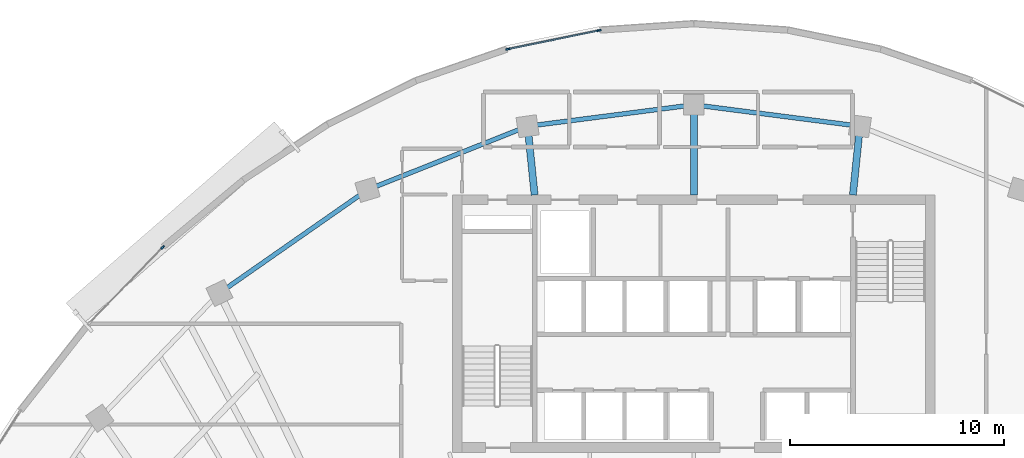
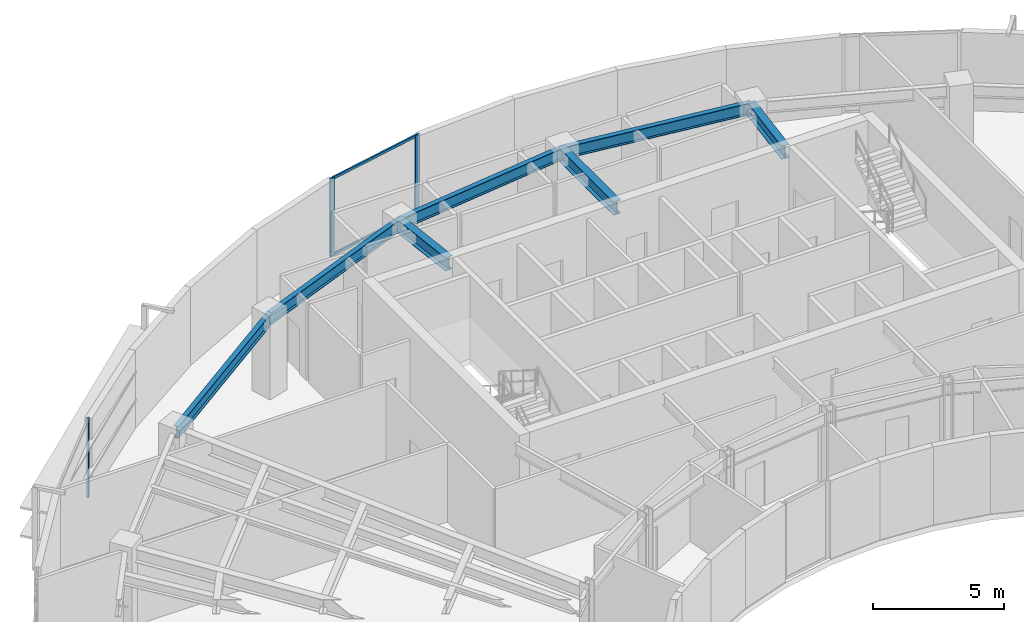
# One storey, part 5 of 13: 7 beams, 5 members, 2 elements without a shape of their own.
"""IFC4 building model written with IfcOpenShell, lengths in metres."""

from ifc_helpers import new_model, si_unit, direction, frame, origin, origin_2d, place, context, subcontext, project, spatial, rectangle, i_section, extrude, source, transform, mapped, material, layer, layer_set, material_profile, profile_set, type_object, element, aggregate, save


model = new_model("IFC4")

# Units and contexts
model_context = context("Model", 3, precision=1e-05, world=origin(), true_north=direction((0.0, 1.0)))
body_context = subcontext(model_context, "Body", "Model", "MODEL_VIEW")
ifc_project = project(units=[si_unit("LENGTHUNIT", "METRE"), si_unit("AREAUNIT", "SQUARE_METRE"), si_unit("VOLUMEUNIT", "CUBIC_METRE"), si_unit("PLANEANGLEUNIT", "RADIAN"), si_unit("MASSUNIT", "GRAM", prefix="KILO")], contexts=[model_context])

# Site, building, storey
site_placement = place(None, origin())
site = spatial("IfcSite", under=ifc_project, at=site_placement, CompositionType="ELEMENT")
building_placement = place(site_placement, origin())
building = spatial("IfcBuilding", under=site, at=building_placement, Name="Breltana Convention Tower", CompositionType="ELEMENT")
storey_placement = place(building_placement, frame((0.0, 0.0, 204.0)))
storey = spatial("IfcBuildingStorey", under=building, at=storey_placement, Name="L49", CompositionType="ELEMENT", Elevation=204.0)

# Beams
ifc_material_1 = material(Name="Steel ASTM A992 Grade 50", Category="steel")
ifc_material_profile_1 = material_profile(ifc_material_1, i_section(OverallWidth=0.326904296875, OverallDepth=0.6220703125, WebThickness=0.015380859375, FlangeThickness=0.0244140625, at=origin_2d()), Name="W24X131")
ifc_profile_set_1 = profile_set([ifc_material_profile_1], Name="Steel ASTM A992 Grade 50")
beam_type_1 = type_object("IfcBeamType", Name="BM-RG-W24X131", PredefinedType="USERDEFINED", material=ifc_profile_set_1)
shared_shape_1 = source(origin(), body_context, "Body", "SweptSolid", [
    extrude(i_section(OverallWidth=0.326904296875, OverallDepth=0.6220703125, WebThickness=0.015380859375, FlangeThickness=0.0244140625, at=origin_2d()), origin(), (0.0, 0.0, 1.0), 3.220947265625),
])
for number, where, z_axis, x_axis, name in (
    (1, (40.580078125, 72.199951171875, 3.3291015625), (-0.101492254858, 0.994836329355, 0.0), (-0.994836329355, -0.101492254858, 0.0), "L49 North Core Radial Girder R05"),
    (2, (55.419921875, 72.199951171875, 3.3291015625), (0.101492254858, 0.994836329355, 0.0), (-0.994836329355, 0.101492254858, 0.0), "L49 North Core Radial Girder R07"),
):
    element("IfcBeam", number, at=place(storey_placement, frame(where, z_axis=z_axis, x_axis=x_axis)), inside=storey, type_object=beam_type_1, Name=name, ObjectType="GIRDER", PredefinedType="USERDEFINED", context=body_context, shape_type="MappedRepresentation", body=[
        mapped(shared_shape_1, transform((0.0, 0.0, 0.0), scale=1.0)),
    ])
shared_shape_2 = source(origin(), body_context, "Body", "SweptSolid", [
    extrude(i_section(OverallWidth=0.326904296875, OverallDepth=0.6220703125, WebThickness=0.015380859375, FlangeThickness=0.0244140625, at=origin_2d()), origin(), (0.0, 0.0, 1.0), 4.2041015625),
])
beam_1_placement = place(storey_placement, frame((48.0, 72.199951171875, 3.3291015625), z_axis=(0.0, 1.0, 0.0), x_axis=(-1.0, 0.0, 0.0)))
element("IfcBeam", 3, at=beam_1_placement, inside=storey, type_object=beam_type_1, Name="L49 North Core Radial Girder R06", ObjectType="GIRDER", PredefinedType="USERDEFINED", context=body_context, shape_type="MappedRepresentation", body=[
    mapped(shared_shape_2, transform((0.0, 0.0, 0.0), scale=1.0)),
])
ifc_material_profile_2 = material_profile(ifc_material_1, i_section(OverallWidth=0.214111328125, OverallDepth=0.549072265625, WebThickness=0.0146484375, FlangeThickness=0.023681640625, at=origin_2d()), Name="W21X93")
ifc_profile_set_2 = profile_set([ifc_material_profile_2], Name="Steel ASTM A992 Grade 50")
beam_type_2 = type_object("IfcBeamType", Name="BM-SP-W21X93", PredefinedType="SPANDREL", material=ifc_profile_set_2)
shared_shape_3 = source(origin(), body_context, "Body", "SweptSolid", [
    extrude(i_section(OverallWidth=0.214111328125, OverallDepth=0.549072265625, WebThickness=0.0146484375, FlangeThickness=0.023681640625, at=origin_2d()), origin(), (0.0, 0.0, 1.0), 8.4169921875),
])
beam_2_placement = place(storey_placement, frame((25.8876953125, 67.626953125, 3.365478515625), z_axis=(0.820173800102, 0.572114444519, 0.0), x_axis=(-0.572114444519, 0.820173800102, 0.0)))
element("IfcBeam", 4, at=beam_2_placement, inside=storey, type_object=beam_type_2, Name="L49 Outer Spandrel Beam 03", PredefinedType="SPANDREL", context=body_context, shape_type="MappedRepresentation", body=[
    mapped(shared_shape_3, transform((0.0, 0.0, 0.0), scale=1.0)),
])
shared_shape_4 = source(origin(), body_context, "Body", "SweptSolid", [
    extrude(i_section(OverallWidth=0.214111328125, OverallDepth=0.549072265625, WebThickness=0.0146484375, FlangeThickness=0.023681640625, at=origin_2d()), origin(), (0.0, 0.0, 1.0), 8.028564453125),
])
beam_3_placement = place(storey_placement, frame((32.791015625, 72.4423828125, 3.365478515625), z_axis=(0.929459100394, 0.368925169507, 0.0), x_axis=(-0.368925169507, 0.929459100394, 0.0)))
element("IfcBeam", 5, at=beam_3_placement, inside=storey, type_object=beam_type_2, Name="L49 Outer Spandrel Beam 04", PredefinedType="SPANDREL", context=body_context, shape_type="MappedRepresentation", body=[
    mapped(shared_shape_4, transform((0.0, 0.0, 0.0), scale=1.0)),
])
shared_shape_5 = source(origin(), body_context, "Body", "SweptSolid", [
    extrude(i_section(OverallWidth=0.214111328125, OverallDepth=0.549072265625, WebThickness=0.0146484375, FlangeThickness=0.023681640625, at=origin_2d()), origin(), (0.0, 0.0, 1.0), 7.81103515625),
])
for number, where, z_axis, x_axis, name in (
    (6, (40.253173828125, 75.404296875, 3.365478515625), (0.991775179127, 0.127992164083, 0.0), (-0.127992164083, 0.991775179127, 0.0), "L49 Outer Spandrel Beam 05"),
    (7, (48.0, 76.404052734375, 3.365478515625), (0.991775179127, -0.127992164083, 0.0), (0.127992164083, 0.991775179127, 0.0), "L49 Outer Spandrel Beam 06"),
):
    element("IfcBeam", number, at=place(storey_placement, frame(where, z_axis=z_axis, x_axis=x_axis)), inside=storey, type_object=beam_type_2, Name=name, PredefinedType="SPANDREL", context=body_context, shape_type="MappedRepresentation", body=[
        mapped(shared_shape_5, transform((0.0, 0.0, 0.0), scale=1.0)),
    ])

# Curtain wall, member
ifc_material_2 = material(Name="Aluminium Anodised Bronze Frame", Category="aluminium")
ifc_layer = layer(ifc_material_2, 0.219970703125, Name="Aluminium Anodised Bronze Frame")
ifc_layer_set = layer_set([ifc_layer], Name="Aluminium Anodised Bronze Frame")
curtain_wall_type = type_object("IfcCurtainWallType", Name="CW-SYS-4", PredefinedType="NOTDEFINED", material=ifc_layer_set)
curtain_wall_1_placement = place(storey_placement, origin())
curtain_wall_1 = element("IfcCurtainWall", 8, at=curtain_wall_1_placement, inside=storey, type_object=curtain_wall_type, Name="L49 outer double-skin inner glazing 2", PredefinedType="NOTDEFINED")
ifc_material_3 = material(Name="Aluminium Anodised Bronze", Category="aluminium")
ifc_material_profile_3 = material_profile(ifc_material_3, rectangle(XDim=0.080078125, YDim=0.199951171875, at=origin_2d()), Name="CWM-80X200")
ifc_profile_set_3 = profile_set([ifc_material_profile_3], Name="Aluminium Anodised Bronze")
member_type_1 = type_object("IfcMemberType", Name="CWM-200", PredefinedType="MULLION", material=ifc_profile_set_3)
shared_shape_6 = source(origin(), body_context, "Body", "SweptSolid", [
    extrude(rectangle(XDim=0.080078125, YDim=0.199951171875, at=origin_2d()), origin(), (0.0, 0.0, 1.0), 3.639892578125),
])
member_1_placement = place(storey_placement, frame((23.240234375, 69.759033203125, 0.0), z_axis=(0.0, 0.0, 1.0), x_axis=(-0.719396292115, 0.694599866751, 0.0)))
member_1 = element("IfcMember", 9, at=member_1_placement, type_object=member_type_1, Name="CW-04 mullion 2", PredefinedType="MULLION", context=body_context, shape_type="MappedRepresentation", body=[
    mapped(shared_shape_6, transform((0.0, 0.0, 0.0), scale=1.0)),
])
aggregate(curtain_wall_1, [member_1])

# Curtain wall, members
curtain_wall_2_placement = place(storey_placement, origin())
curtain_wall_2 = element("IfcCurtainWall", 10, at=curtain_wall_2_placement, inside=storey, type_object=curtain_wall_type, Name="L49 outer double-skin inner glazing 3", PredefinedType="NOTDEFINED")
member_2_placement = place(storey_placement, frame((39.330078125, 78.9990234375, 0.0), z_axis=(0.0, 0.0, 1.0), x_axis=(-0.200879604523, 0.979615937236, 0.0)))
member_2 = element("IfcMember", 11, at=member_2_placement, type_object=member_type_1, Name="CW-04 mullion 1", PredefinedType="MULLION", context=body_context, shape_type="MappedRepresentation", body=[
    mapped(shared_shape_6, transform((0.0, 0.0, 0.0), scale=1.0)),
])
member_3_placement = place(storey_placement, frame((43.584228515625, 79.87158203125, 0.0), z_axis=(0.0, 0.0, 1.0), x_axis=(-0.200879604523, 0.979615937236, 0.0)))
member_3 = element("IfcMember", 12, at=member_3_placement, type_object=member_type_1, Name="CW-04 mullion 2", PredefinedType="MULLION", context=body_context, shape_type="MappedRepresentation", body=[
    mapped(shared_shape_6, transform((0.0, 0.0, 0.0), scale=1.0)),
])
ifc_material_profile_4 = material_profile(ifc_material_3, rectangle(XDim=0.070068359375, YDim=0.1201171875, at=origin_2d()), Name="CWT-70X120")
ifc_profile_set_4 = profile_set([ifc_material_profile_4], Name="Aluminium Anodised Bronze")
member_type_2 = type_object("IfcMemberType", Name="CWT-120", PredefinedType="USERDEFINED", material=ifc_profile_set_4)
shared_shape_7 = source(origin(), body_context, "Body", "SweptSolid", [
    extrude(rectangle(XDim=0.070068359375, YDim=0.1201171875, at=origin_2d()), origin(), (0.0, 0.0, 1.0), 4.262451171875),
])
member_4_placement = place(storey_placement, frame((39.369384765625, 79.007080078125, 0.034912109375), z_axis=(0.97960616963, 0.200927231659, 0.0), x_axis=(-0.200927231659, 0.97960616963, 0.0)))
member_4 = element("IfcMember", 13, at=member_4_placement, type_object=member_type_2, Name="CW-04 transom 1.1", ObjectType="TRANSOM", PredefinedType="USERDEFINED", context=body_context, shape_type="MappedRepresentation", body=[
    mapped(shared_shape_7, transform((0.0, 0.0, 0.0), scale=1.0)),
])
member_5_placement = place(storey_placement, frame((39.369384765625, 79.007080078125, 3.60498046875), z_axis=(0.97960616963, 0.200927231659, 0.0), x_axis=(-0.200927231659, 0.97960616963, 0.0)))
member_5 = element("IfcMember", 14, at=member_5_placement, type_object=member_type_2, Name="CW-04 transom 1.2", ObjectType="TRANSOM", PredefinedType="USERDEFINED", context=body_context, shape_type="MappedRepresentation", body=[
    mapped(shared_shape_7, transform((0.0, 0.0, 0.0), scale=1.0)),
])
aggregate(curtain_wall_2, [member_2, member_3, member_4, member_5])

save(model, "model.ifc")
